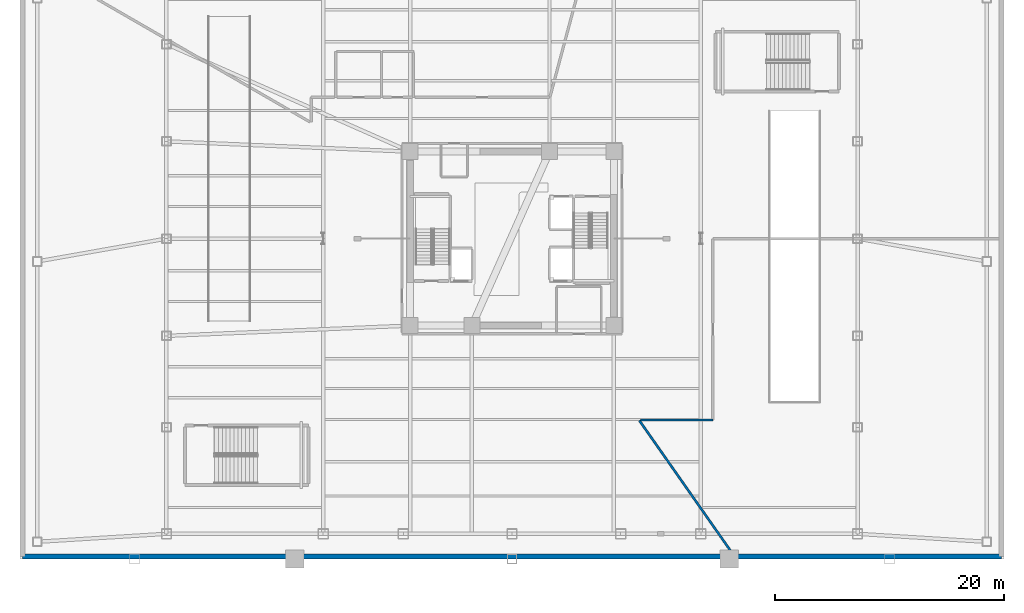
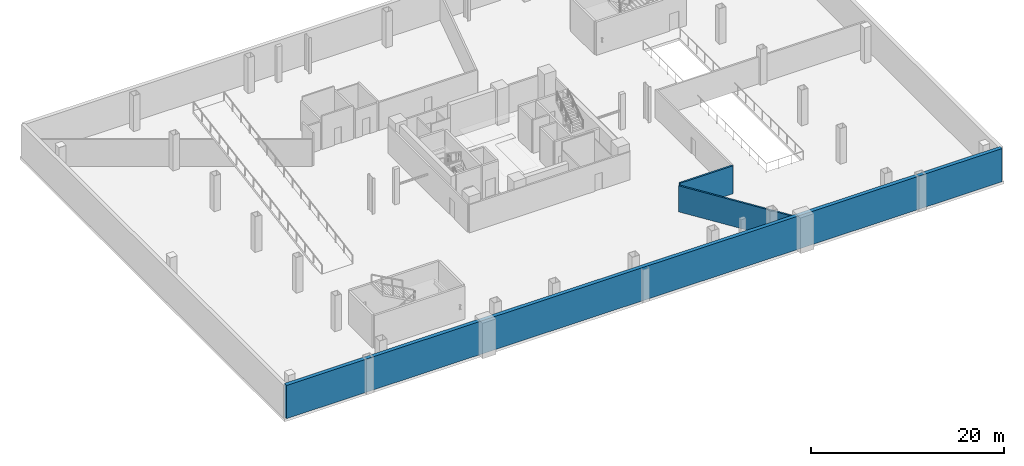
# One storey, part 6 of 14: 3 walls.
"""IFC4 building model written with IfcOpenShell, lengths in metres."""

from ifc_helpers import new_model, si_unit, direction, frame, frame_2d, origin, place, context, subcontext, project, spatial, rectangle, extrude, material, layer, layer_set, type_object, element, save


model = new_model("IFC4")

# Units and contexts
model_context = context("Model", 3, precision=1e-05, world=origin(), true_north=direction((0.0, 1.0)))
body_context = subcontext(model_context, "Body", "Model", "MODEL_VIEW")
ifc_project = project(units=[si_unit("LENGTHUNIT", "METRE"), si_unit("AREAUNIT", "SQUARE_METRE"), si_unit("VOLUMEUNIT", "CUBIC_METRE"), si_unit("PLANEANGLEUNIT", "RADIAN"), si_unit("MASSUNIT", "GRAM", prefix="KILO")], contexts=[model_context])

# Site, building, storey
site_placement = place(None, origin())
site = spatial("IfcSite", under=ifc_project, at=site_placement, CompositionType="ELEMENT")
building_placement = place(site_placement, origin())
building = spatial("IfcBuilding", under=site, at=building_placement, Name="Tharavind Bronze Gate", CompositionType="ELEMENT")
storey_placement = place(building_placement, frame((0.0, 0.0, -4.5)))
storey = spatial("IfcBuildingStorey", under=building, at=storey_placement, Name="B01", CompositionType="ELEMENT", Elevation=-4.5)

# Walls
ifc_material_1 = material(Name="Concrete C50/60", Category="concrete")
ifc_layer_1 = layer(ifc_material_1, 0.449951171875)
ifc_layer_set_1 = layer_set([ifc_layer_1], Name="Concrete C50/60")
wall_type_1 = type_object("IfcWallType", Name="BASEMENT RETAINING WALL 450", PredefinedType="STANDARD", material=ifc_layer_set_1)
wall_1_placement = place(storey_placement, frame((-42.77490234375, -27.77490234375, 0.0), z_axis=(0.0, 0.0, 1.0), x_axis=(1.0, 0.0, 0.0)))
element("IfcWall", 1, at=wall_1_placement, inside=storey, type_object=wall_type_1, Name="B01 perimeter retaining wall 1", PredefinedType="STANDARD", context=body_context, shape_type="SweptSolid", body=[
    extrude(rectangle(XDim=85.5498046875, YDim=0.449951171875, at=frame_2d((42.77490234375, 0.0))), origin(), (0.0, 0.0, 1.0), 4.199951171875),
])
ifc_material_2 = material(Name="Aerated Concrete Block", Category="concrete")
ifc_layer_2 = layer(ifc_material_2, 0.199951171875)
ifc_layer_set_2 = layer_set([ifc_layer_2], Name="Aerated Concrete Block")
wall_type_2 = type_object("IfcWallType", Name="FIRE RATED PARTITION 200", PredefinedType="PARTITIONING", material=ifc_layer_set_2)
wall_2_placement = place(storey_placement, frame((19.287353515625, -27.544921875, 0.0), z_axis=(0.0, 0.0, 1.0), x_axis=(-0.573592461677, 0.819140823001, 0.0)))
element("IfcWall", 2, at=wall_2_placement, inside=storey, type_object=wall_type_2, Name="B01 Refuse & Recycling Storage partition", PredefinedType="PARTITIONING", context=body_context, shape_type="SweptSolid", body=[
    extrude(rectangle(XDim=14.22900390625, YDim=0.199951171875, at=frame_2d((7.114501953125, 0.0))), origin(), (0.0, 0.0, 1.0), 3.294921875),
])
wall_3_placement = place(storey_placement, frame((11.2265625, -15.85009765625, 0.0), z_axis=(0.0, 0.0, 1.0), x_axis=(1.0, 0.0, 0.0)))
element("IfcWall", 3, at=wall_3_placement, inside=storey, type_object=wall_type_2, Name="B01 Refuse & Recycling Storage partition", PredefinedType="PARTITIONING", context=body_context, shape_type="SweptSolid", body=[
    extrude(rectangle(XDim=6.32275390625, YDim=0.199951171875, at=frame_2d((3.161376953125, 0.0))), origin(), (0.0, 0.0, 1.0), 3.544921875),
])

save(model, "model.ifc")
